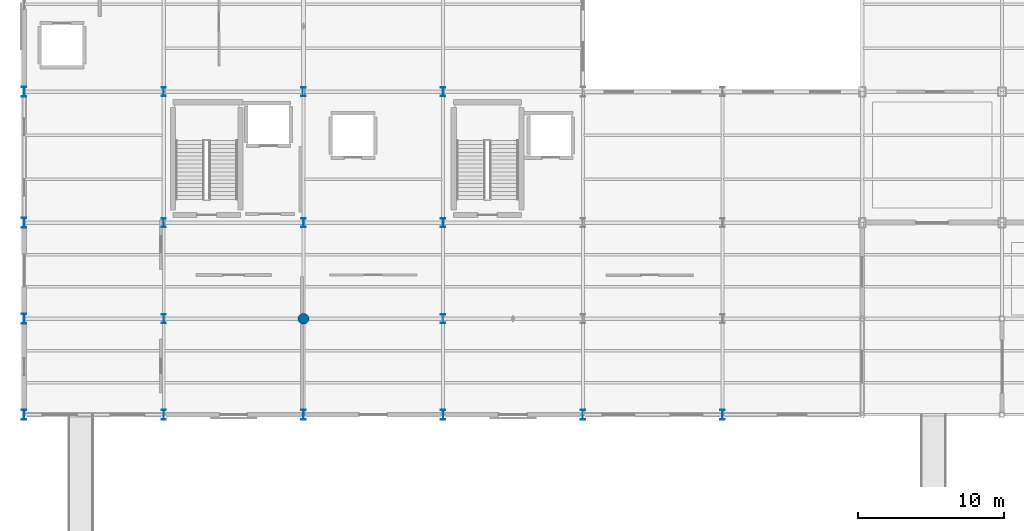
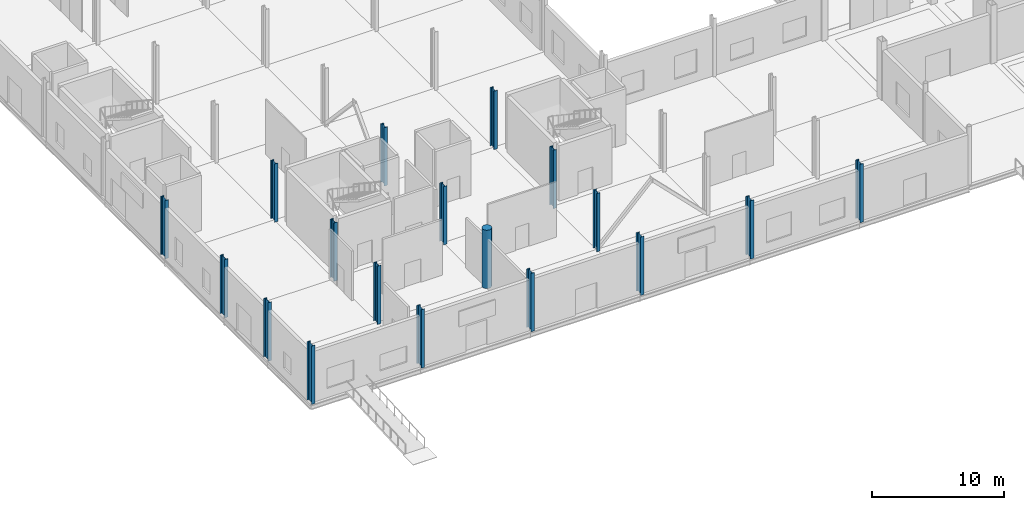
# One storey, part 1 of 85: 18 columns.
"""IFC4 building model written with IfcOpenShell, lengths in metres."""

from ifc_helpers import new_model, si_unit, direction, frame, origin, origin_2d, place, context, subcontext, project, spatial, circle, i_section, extrude, material, material_profile, profile_set, type_object, element, save


model = new_model("IFC4")

# Units and contexts
model_context = context("Model", 3, precision=1e-05, world=origin(), true_north=direction((0.0, 1.0)))
body_context = subcontext(model_context, "Body", "Model", "MODEL_VIEW")
ifc_project = project(units=[si_unit("LENGTHUNIT", "METRE"), si_unit("AREAUNIT", "SQUARE_METRE"), si_unit("VOLUMEUNIT", "CUBIC_METRE"), si_unit("PLANEANGLEUNIT", "RADIAN"), si_unit("MASSUNIT", "GRAM", prefix="KILO")], contexts=[model_context])

# Site, building, storey
site_placement = place(None, origin())
site = spatial("IfcSite", under=ifc_project, at=site_placement, CompositionType="ELEMENT")
building_placement = place(site_placement, origin())
building = spatial("IfcBuilding", under=site, at=building_placement, Name="Zarnetskaya Central Station", CompositionType="ELEMENT")
storey_placement = place(building_placement, origin())
storey = spatial("IfcBuildingStorey", under=building, at=storey_placement, Name="L00", CompositionType="ELEMENT", Elevation=0.0)

# Columns
ifc_material_1 = material(Name="Concrete C35/45", Category="concrete")
ifc_material_profile_1 = material_profile(ifc_material_1, circle(Radius=0.375, at=origin_2d()), Name="RC COL D750")
ifc_profile_set_1 = profile_set([ifc_material_profile_1], Name="Concrete C35/45")
column_type_1 = type_object("IfcColumnType", Name="COL-RC-CONC", PredefinedType="COLUMN", material=ifc_profile_set_1)
column_placement = place(storey_placement, frame((19.199951171875, 6.60009765625, 0.0), z_axis=(0.0, 0.0, 1.0), x_axis=(1.0, 0.0, 0.0)))
element("IfcColumn", 1, at=column_placement, inside=storey, type_object=column_type_1, Name="Column C2 L00", PredefinedType="COLUMN", context=body_context, shape_type="SweptSolid", body=[
    extrude(circle(Radius=0.375, at=origin_2d()), origin(), (0.0, 0.0, 1.0), 5.39990234375),
])
ifc_material_2 = material(Name="Steel S355", Category="steel")
ifc_material_profile_2 = material_profile(ifc_material_2, i_section(OverallWidth=0.300048828125, OverallDepth=0.699951171875, WebThickness=0.01708984375, FlangeThickness=0.031982421875, FilletRadius=0.027099609375, at=origin_2d()), Name="HEB 700")
ifc_profile_set_2 = profile_set([ifc_material_profile_2], Name="Steel S355")
column_type_2 = type_object("IfcColumnType", Name="COL-V5-LOW-E", PredefinedType="COLUMN", material=ifc_profile_set_2)
for number, where, z_axis, x_axis, name in (
    (2, (0.0, 0.0, 0.0), (0.0, 0.0, 1.0), (1.0, 0.0, 0.0), "Column A1 L00"),
    (3, (0.0, 6.60009765625, 0.0), (0.0, 0.0, 1.0), (1.0, 0.0, 0.0), "Column A2 L00"),
    (4, (0.0, 13.199951171875, 0.0), (0.0, 0.0, 1.0), (1.0, 0.0, 0.0), "Column A3 L00"),
    (5, (0.0, 22.199951171875, 0.0), (0.0, 0.0, 1.0), (1.0, 0.0, 0.0), "Column A4 L00"),
    (6, (9.60009765625, 0.0, 0.0), (0.0, 0.0, 1.0), (1.0, 0.0, 0.0), "Column B1 L00"),
    (7, (19.199951171875, 0.0, 0.0), (0.0, 0.0, 1.0), (1.0, 0.0, 0.0), "Column C1 L00"),
    (8, (28.800048828125, 0.0, 0.0), (0.0, 0.0, 1.0), (1.0, 0.0, 0.0), "Column D1 L00"),
    (9, (38.39990234375, 0.0, 0.0), (0.0, 0.0, 1.0), (1.0, 0.0, 0.0), "Column E1 L00"),
    (10, (48.0, 0.0, 0.0), (0.0, 0.0, 1.0), (1.0, 0.0, 0.0), "Column F1 L00"),
):
    element("IfcColumn", number, at=place(storey_placement, frame(where, z_axis=z_axis, x_axis=x_axis)), inside=storey, type_object=column_type_2, Name=name, PredefinedType="COLUMN", context=body_context, shape_type="SweptSolid", body=[
        extrude(i_section(OverallWidth=0.300048828125, OverallDepth=0.699951171875, WebThickness=0.01708984375, FlangeThickness=0.031982421875, FilletRadius=0.027099609375, at=origin_2d()), origin(), (0.0, 0.0, 1.0), 5.39990234375),
    ])
ifc_material_profile_3 = material_profile(ifc_material_2, i_section(OverallWidth=0.300048828125, OverallDepth=0.60009765625, WebThickness=0.015380859375, FlangeThickness=0.030029296875, FilletRadius=0.027099609375, at=origin_2d()), Name="HEB 600")
ifc_profile_set_3 = profile_set([ifc_material_profile_3], Name="Steel S355")
column_type_3 = type_object("IfcColumnType", Name="COL-V5-LOW-I", PredefinedType="COLUMN", material=ifc_profile_set_3)
for number, where, z_axis, x_axis, name in (
    (11, (9.60009765625, 6.60009765625, 0.0), (0.0, 0.0, 1.0), (1.0, 0.0, 0.0), "Column B2 L00"),
    (12, (9.60009765625, 13.199951171875, 0.0), (0.0, 0.0, 1.0), (1.0, 0.0, 0.0), "Column B3 L00"),
    (13, (9.60009765625, 22.199951171875, 0.0), (0.0, 0.0, 1.0), (1.0, 0.0, 0.0), "Column B4 L00"),
    (14, (19.199951171875, 13.199951171875, 0.0), (0.0, 0.0, 1.0), (1.0, 0.0, 0.0), "Column C3 L00"),
    (15, (19.199951171875, 22.199951171875, 0.0), (0.0, 0.0, 1.0), (1.0, 0.0, 0.0), "Column C4 L00"),
    (16, (28.800048828125, 6.60009765625, 0.0), (0.0, 0.0, 1.0), (1.0, 0.0, 0.0), "Column D2 L00"),
    (17, (28.800048828125, 13.199951171875, 0.0), (0.0, 0.0, 1.0), (1.0, 0.0, 0.0), "Column D3 L00"),
    (18, (28.800048828125, 22.199951171875, 0.0), (0.0, 0.0, 1.0), (1.0, 0.0, 0.0), "Column D4 L00"),
):
    element("IfcColumn", number, at=place(storey_placement, frame(where, z_axis=z_axis, x_axis=x_axis)), inside=storey, type_object=column_type_3, Name=name, PredefinedType="COLUMN", context=body_context, shape_type="SweptSolid", body=[
        extrude(i_section(OverallWidth=0.300048828125, OverallDepth=0.60009765625, WebThickness=0.015380859375, FlangeThickness=0.030029296875, FilletRadius=0.027099609375, at=origin_2d()), origin(), (0.0, 0.0, 1.0), 5.39990234375),
    ])

save(model, "model.ifc")
